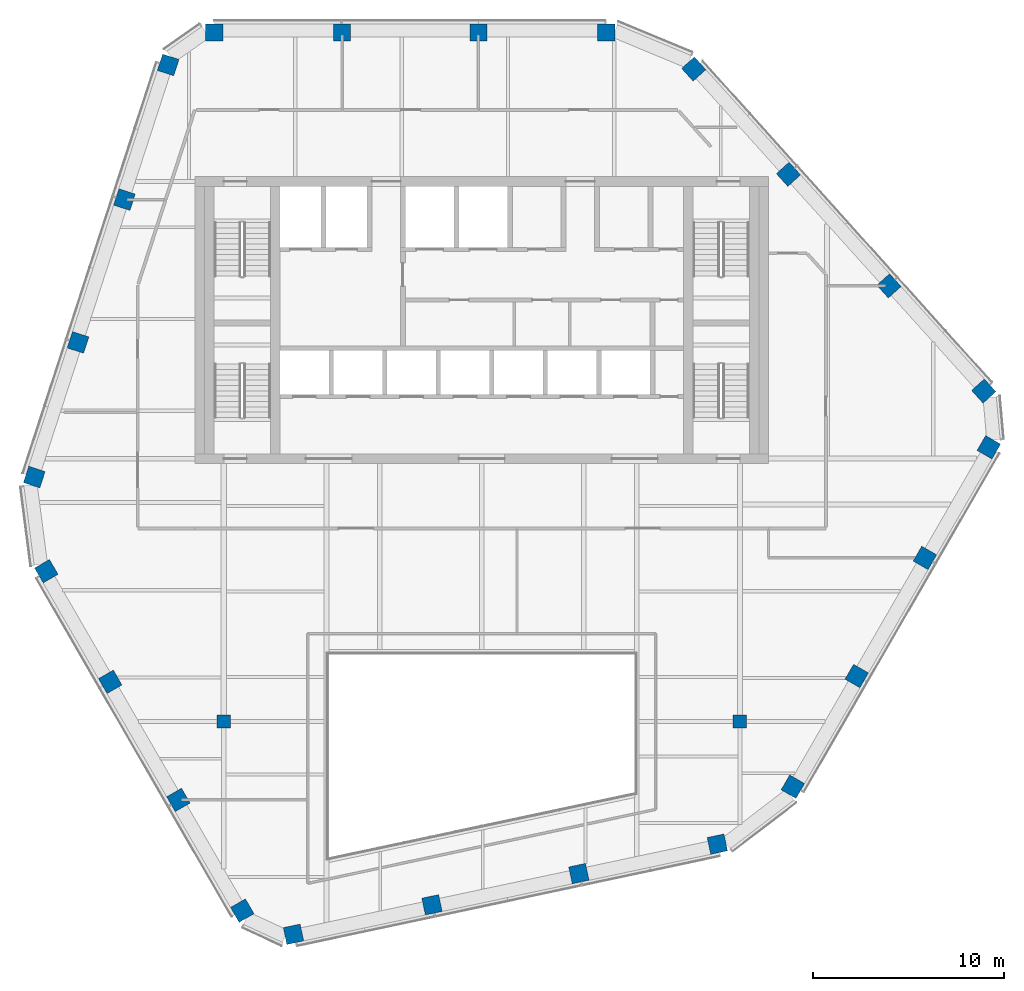
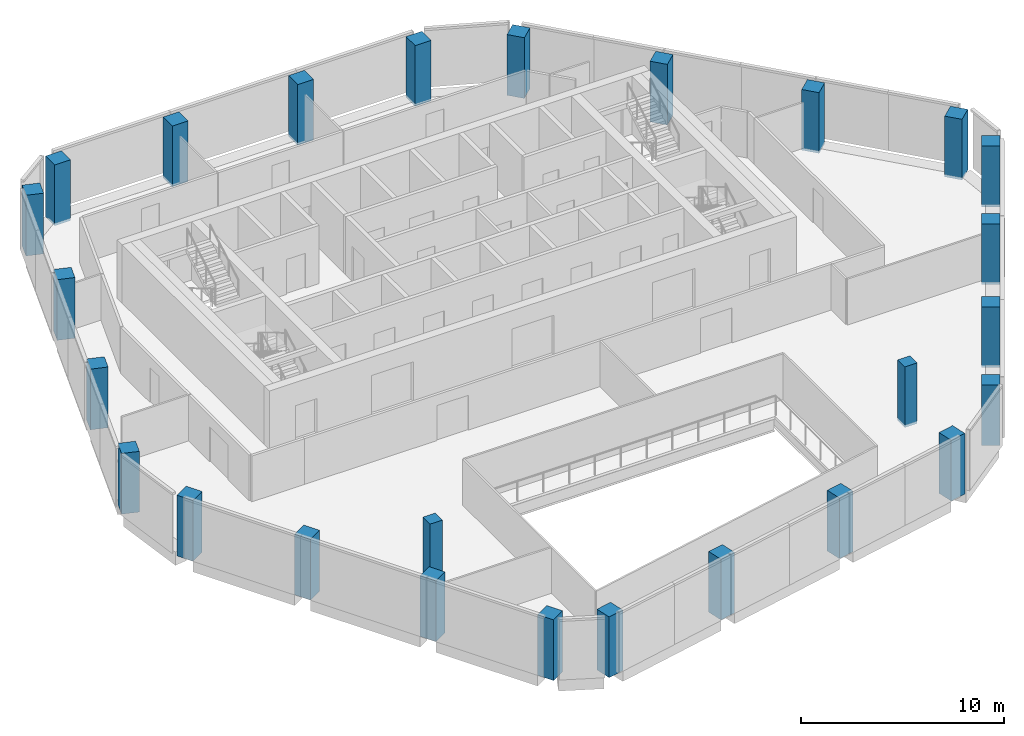
# One storey, part 1 of 15: 26 columns.
"""IFC4 building model written with IfcOpenShell, lengths in metres."""

from ifc_helpers import new_model, si_unit, direction, frame, origin, origin_2d, place, context, subcontext, project, spatial, rectangle, extrude, material, material_profile, profile_set, type_object, element, save


model = new_model("IFC4")

# Units and contexts
model_context = context("Model", 3, precision=1e-05, world=origin(), true_north=direction((0.0, 1.0)))
body_context = subcontext(model_context, "Body", "Model", "MODEL_VIEW")
ifc_project = project(units=[si_unit("LENGTHUNIT", "METRE"), si_unit("AREAUNIT", "SQUARE_METRE"), si_unit("VOLUMEUNIT", "CUBIC_METRE"), si_unit("PLANEANGLEUNIT", "RADIAN"), si_unit("MASSUNIT", "GRAM", prefix="KILO")], contexts=[model_context])

# Site, building, storey
site_placement = place(None, origin())
site = spatial("IfcSite", under=ifc_project, at=site_placement, CompositionType="ELEMENT")
building_placement = place(site_placement, origin())
building = spatial("IfcBuilding", under=site, at=building_placement, Name="Isthmus Gate Tower", CompositionType="ELEMENT")
storey_placement = place(building_placement, frame((0.0, 0.0, 286.5)))
storey = spatial("IfcBuildingStorey", under=building, at=storey_placement, Name="L73", CompositionType="ELEMENT", Elevation=286.5)

# Columns
ifc_material_1 = material(Name="Concrete f'c 50 MPa", Category="concrete")
ifc_material_profile_1 = material_profile(ifc_material_1, rectangle(XDim=0.699951171875, YDim=0.699951171875, at=origin_2d()), Name="RC 700X700")
ifc_profile_set_1 = profile_set([ifc_material_profile_1], Name="Concrete f'c 50 MPa")
column_type_1 = type_object("IfcColumnType", Name="RC INTERIOR COLUMN 700 X 700", PredefinedType="COLUMN", material=ifc_profile_set_1)
for number, where, z_axis, x_axis, name in (
    (1, (-13.5, -13.5, -0.14990234375), (0.0, 0.0, 1.0), (1.0, 0.0, 0.0), "str-icol-L73-ICB2"),
    (2, (13.5, -13.5, -0.14990234375), (0.0, 0.0, 1.0), (1.0, 0.0, 0.0), "str-icol-L73-ICD2"),
):
    element("IfcColumn", number, at=place(storey_placement, frame(where, z_axis=z_axis, x_axis=x_axis)), inside=storey, type_object=column_type_1, Name=name, PredefinedType="COLUMN", context=body_context, shape_type="SweptSolid", body=[
        extrude(rectangle(XDim=0.699951171875, YDim=0.699951171875, at=origin_2d()), origin(), (0.0, 0.0, 1.0), 3.64990234375),
    ])
ifc_material_2 = material(Name="Concrete f'c 50 MPa", Category="concrete")
ifc_material_profile_2 = material_profile(ifc_material_2, rectangle(XDim=0.89990234375, YDim=0.89990234375, at=origin_2d()), Name="RC 900X900")
ifc_profile_set_2 = profile_set([ifc_material_profile_2], Name="Concrete f'c 50 MPa")
column_type_2 = type_object("IfcColumnType", Name="RC TUBE COLUMN 900 X 900", PredefinedType="COLUMN", material=ifc_profile_set_2)
for number, where, z_axis, x_axis, name in (
    (3, (6.509521484375, 22.550048828125, -0.14990234375), (0.0, 0.0, 1.0), (-1.0, 0.0, 0.0), "str-tcol-L73-T4N0"),
    (4, (-0.175048828125, 22.550048828125, -0.14990234375), (0.0, 0.0, 1.0), (-1.0, 0.0, 0.0), "str-tcol-L73-T4N1"),
    (5, (-7.3095703125, 22.550048828125, -0.14990234375), (0.0, 0.0, 1.0), (-1.0, 0.0, 0.0), "str-tcol-L73-T4N2"),
    (6, (-13.994140625, 22.550048828125, -0.14990234375), (0.0, 0.0, 1.0), (-1.0, 0.0, 0.0), "str-tcol-L73-T4N3"),
    (7, (-16.408203125, 20.847900390625, -0.14990234375), (0.0, 0.0, 1.0), (-0.309016994375, -0.951056516295, 0.0), "str-tcol-L73-T4NW0"),
    (8, (-18.697021484375, 13.8037109375, -0.14990234375), (0.0, 0.0, 1.0), (-0.309016994375, -0.951056516295, 0.0), "str-tcol-L73-T4NW1"),
    (9, (-21.124755859375, 6.331298828125, -0.14990234375), (0.0, 0.0, 1.0), (-0.309016994375, -0.951056516295, 0.0), "str-tcol-L73-T4NW2"),
    (10, (-23.41357421875, -0.712890625, -0.14990234375), (0.0, 0.0, 1.0), (-0.309016994375, -0.951056516295, 0.0), "str-tcol-L73-T4NW3"),
    (11, (-22.78369140625, -5.6376953125, -0.14990234375), (0.0, 0.0, 1.0), (0.5, -0.866025403784, 0.0), "str-tcol-L73-T4SW0"),
    (12, (-19.44140625, -11.426513671875, -0.14990234375), (0.0, 0.0, 1.0), (0.5, -0.866025403784, 0.0), "str-tcol-L73-T4SW1"),
    (13, (-15.8740234375, -17.605224609375, -0.14990234375), (0.0, 0.0, 1.0), (0.5, -0.866025403784, 0.0), "str-tcol-L73-T4SW2"),
    (14, (-12.53173828125, -23.394287109375, -0.14990234375), (0.0, 0.0, 1.0), (0.5, -0.866025403784, 0.0), "str-tcol-L73-T4SW3"),
    (15, (-9.850830078125, -24.6337890625, -0.14990234375), (0.0, 0.0, 1.0), (0.978147600734, 0.207911690818, 0.0), "str-tcol-L73-T4S0"),
    (16, (-2.605712890625, -23.09375, -0.14990234375), (0.0, 0.0, 1.0), (0.978147600734, 0.207911690818, 0.0), "str-tcol-L73-T4S1"),
    (17, (5.079345703125, -21.460205078125, -0.14990234375), (0.0, 0.0, 1.0), (0.978147600734, 0.207911690818, 0.0), "str-tcol-L73-T4S2"),
    (18, (12.32421875, -19.92041015625, -0.14990234375), (0.0, 0.0, 1.0), (0.978147600734, 0.207911690818, 0.0), "str-tcol-L73-T4S3"),
    (19, (16.274169921875, -16.912353515625, -0.14990234375), (0.0, 0.0, 1.0), (0.5, 0.866025403784, 0.0), "str-tcol-L73-T4SE0"),
    (20, (19.616455078125, -11.123291015625, -0.14990234375), (0.0, 0.0, 1.0), (0.5, 0.866025403784, 0.0), "str-tcol-L73-T4SE1"),
    (21, (23.18359375, -4.944580078125, -0.14990234375), (0.0, 0.0, 1.0), (0.5, 0.866025403784, 0.0), "str-tcol-L73-T4SE2"),
    (22, (26.52587890625, 0.84423828125, -0.14990234375), (0.0, 0.0, 1.0), (0.5, 0.866025403784, 0.0), "str-tcol-L73-T4SE3"),
    (23, (26.2587890625, 3.785888671875, -0.14990234375), (0.0, 0.0, 1.0), (-0.669130606359, 0.743144825477, 0.0), "str-tcol-L73-T4NE0"),
    (24, (21.302734375, 9.290283203125, -0.14990234375), (0.0, 0.0, 1.0), (-0.669130606359, 0.743144825477, 0.0), "str-tcol-L73-T4NE1"),
    (25, (16.04541015625, 15.12890625, -0.14990234375), (0.0, 0.0, 1.0), (-0.669130606359, 0.743144825477, 0.0), "str-tcol-L73-T4NE2"),
    (26, (11.08935546875, 20.63330078125, -0.14990234375), (0.0, 0.0, 1.0), (-0.669130606359, 0.743144825477, 0.0), "str-tcol-L73-T4NE3"),
):
    element("IfcColumn", number, at=place(storey_placement, frame(where, z_axis=z_axis, x_axis=x_axis)), inside=storey, type_object=column_type_2, Name=name, PredefinedType="COLUMN", context=body_context, shape_type="SweptSolid", body=[
        extrude(rectangle(XDim=0.89990234375, YDim=0.89990234375, at=origin_2d()), origin(), (0.0, 0.0, 1.0), 3.64990234375),
    ])

save(model, "model.ifc")
